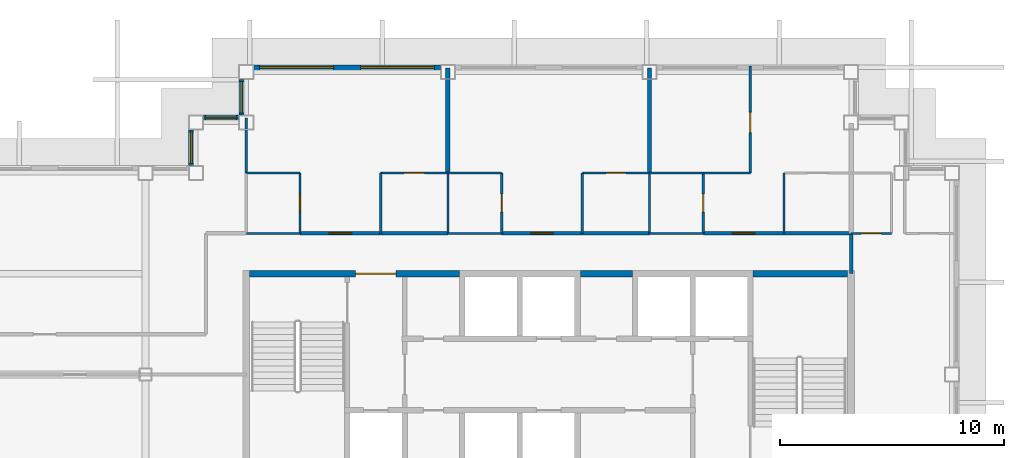
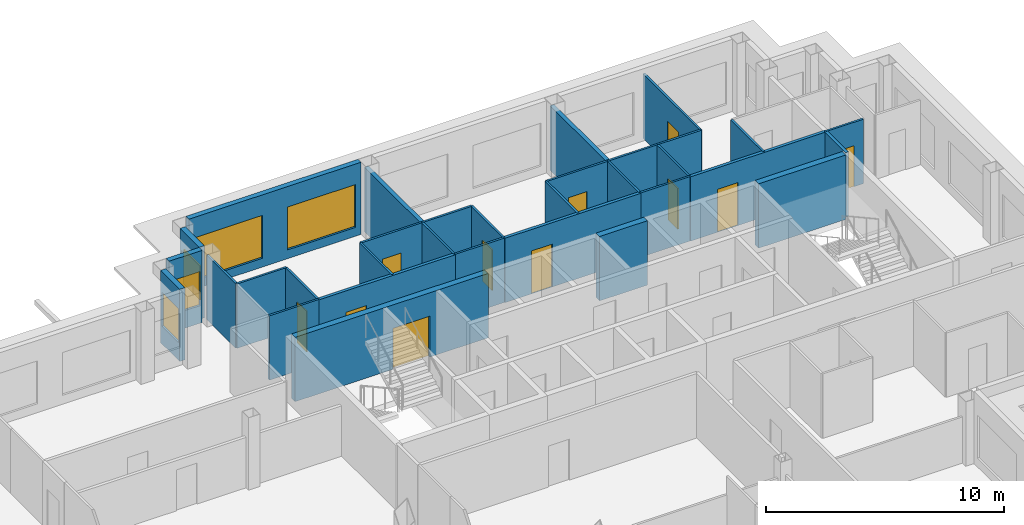
# One storey, part 6 of 11: 33 walls, 11 doors, 5 windows, 16 openings.
"""IFC4 building model written with IfcOpenShell, lengths in metres."""

from ifc_helpers import new_model, si_unit, direction, frame, frame_2d, origin, place, context, subcontext, project, spatial, rectangle, extrude, material, layer, layer_set, type_object, element, fill, save


model = new_model("IFC4")

# Units and contexts
model_context = context("Model", 3, precision=1e-05, world=origin(), true_north=direction((0.0, 1.0)))
body_context = subcontext(model_context, "Body", "Model", "MODEL_VIEW")
ifc_project = project(units=[si_unit("LENGTHUNIT", "METRE"), si_unit("AREAUNIT", "SQUARE_METRE"), si_unit("VOLUMEUNIT", "CUBIC_METRE"), si_unit("PLANEANGLEUNIT", "RADIAN"), si_unit("MASSUNIT", "GRAM", prefix="KILO")], contexts=[model_context])

# Site, building, storey
site_placement = place(None, origin())
site = spatial("IfcSite", under=ifc_project, at=site_placement, CompositionType="ELEMENT")
building_placement = place(site_placement, origin())
building = spatial("IfcBuilding", under=site, at=building_placement, Name="Caravel Reach Hotel and Residences", CompositionType="ELEMENT")
storey_placement = place(building_placement, frame((0.0, 0.0, 229.39990234375)))
storey = spatial("IfcBuildingStorey", under=building, at=storey_placement, Name="L58", CompositionType="ELEMENT", Elevation=229.39990234375)

# Walls
ifc_material_1 = material(Name="Gypsum board on steel stud", Category="steel")
ifc_layer_1 = layer(ifc_material_1, 0.10009765625)
ifc_layer_set_1 = layer_set([ifc_layer_1], Name="Bathroom pod wall 100 mm")
wall_type_1 = type_object("IfcWallType", Name="Bathroom pod wall 100 mm", PredefinedType="PARTITIONING", material=ifc_layer_set_1)
for number, where, z_axis, x_axis, name in (
    (1, (18.0, 33.300048828125, 0.0), (0.0, 0.0, 1.0), (1.0, 0.0, 0.0), "L58 wall w066"),
    (2, (27.0, 33.300048828125, 0.0), (0.0, 0.0, 1.0), (1.0, 0.0, 0.0), "L58 wall w067"),
    (3, (36.0, 33.300048828125, 0.0), (0.0, 0.0, 1.0), (1.0, 0.0, 0.0), "L58 wall w068"),
    (4, (18.0, 36.0, 0.0), (0.0, 0.0, 1.0), (1.0, 0.0, 0.0), "L58 wall w070"),
    (5, (27.0, 36.0, 0.0), (0.0, 0.0, 1.0), (1.0, 0.0, 0.0), "L58 wall w071"),
    (6, (36.0, 36.0, 0.0), (0.0, 0.0, 1.0), (1.0, 0.0, 0.0), "L58 wall w072"),
):
    element("IfcWall", number, at=place(storey_placement, frame(where, z_axis=z_axis, x_axis=x_axis)), inside=storey, type_object=wall_type_1, Name=name, PredefinedType="PARTITIONING", context=body_context, shape_type="SweptSolid", body=[
        extrude(rectangle(XDim=2.39990234375, YDim=0.10009765625, at=frame_2d((1.199951171875, 0.0))), origin(), (0.0, 0.0, 1.0), 3.300048828125),
    ])

# Wall, opening, door
wall_1_placement = place(storey_placement, frame((20.39990234375, 33.300048828125, 0.0), z_axis=(0.0, 0.0, 1.0), x_axis=(0.0, 1.0, 0.0)))
wall_1 = element("IfcWall", 7, at=wall_1_placement, inside=storey, type_object=wall_type_1, Name="L58 wall w074", PredefinedType="PARTITIONING", context=body_context, shape_type="SweptSolid", body=[
    extrude(rectangle(XDim=2.699951171875, YDim=0.10009765625, at=frame_2d((1.35009765625, 0.0))), origin(), (0.0, 0.0, 1.0), 3.300048828125),
])
opening_1_placement = place(wall_1_placement, frame((0.949951171875, 0.0, 0.0)))
opening_1 = element("IfcOpeningElement", 8, at=opening_1_placement, cuts=wall_1, Name="Opening D58-017", PredefinedType="OPENING", context=body_context, shape_type="SweptSolid", body=[
    extrude(rectangle(XDim=0.800048828125, YDim=2.10009765625, at=frame_2d((0.39990234375, 1.050048828125))), frame((0.0, 0.06005859375, 0.0), z_axis=(0.0, -1.0, 0.0), x_axis=(1.0, 0.0, 0.0)), (0.0, 0.0, 1.0), 0.1201171875),
])
ifc_material_2 = material(Name="Timber and steel door leaf", Category="steel")
door_type_1 = type_object("IfcDoorType", Name="Bathroom door 800 x 2100", OperationType="SINGLE_SWING_LEFT", PredefinedType="DOOR", material=ifc_material_2)
door_1_placement = place(opening_1_placement, origin())
door_1 = element("IfcDoor", 9, at=door_1_placement, inside=storey, type_object=door_type_1, Name="door D58-017", OperationType="SINGLE_SWING_RIGHT", OverallHeight=2.10009765625, OverallWidth=0.800048828125, PredefinedType="DOOR", context=body_context, shape_type="SweptSolid", body=[
    extrude(rectangle(XDim=0.800048828125, YDim=2.10009765625, at=frame_2d((0.39990234375, 1.050048828125))), frame((0.0, 0.02490234375, 0.0), z_axis=(0.0, -1.0, 0.0), x_axis=(1.0, 0.0, 0.0)), (0.0, 0.0, 1.0), 0.050048828125),
])
fill(opening_1, door_1)

# Wall
wall_2_placement = place(storey_placement, frame((27.0, 33.300048828125, 0.0), z_axis=(0.0, 0.0, 1.0), x_axis=(0.0, 1.0, 0.0)))
element("IfcWall", 10, at=wall_2_placement, inside=storey, type_object=wall_type_1, Name="L58 wall w075", PredefinedType="PARTITIONING", context=body_context, shape_type="SweptSolid", body=[
    extrude(rectangle(XDim=2.699951171875, YDim=0.10009765625, at=frame_2d((1.35009765625, 0.0))), origin(), (0.0, 0.0, 1.0), 3.300048828125),
])

# Wall, opening, door
wall_3_placement = place(storey_placement, frame((29.39990234375, 33.300048828125, 0.0), z_axis=(0.0, 0.0, 1.0), x_axis=(0.0, 1.0, 0.0)))
wall_3 = element("IfcWall", 11, at=wall_3_placement, inside=storey, type_object=wall_type_1, Name="L58 wall w077", PredefinedType="PARTITIONING", context=body_context, shape_type="SweptSolid", body=[
    extrude(rectangle(XDim=2.699951171875, YDim=0.10009765625, at=frame_2d((1.35009765625, 0.0))), origin(), (0.0, 0.0, 1.0), 3.300048828125),
])
opening_2_placement = place(wall_3_placement, frame((0.949951171875, 0.0, 0.0)))
opening_2 = element("IfcOpeningElement", 12, at=opening_2_placement, cuts=wall_3, Name="Opening D58-020", PredefinedType="OPENING", context=body_context, shape_type="SweptSolid", body=[
    extrude(rectangle(XDim=0.800048828125, YDim=2.10009765625, at=frame_2d((0.39990234375, 1.050048828125))), frame((0.0, 0.06005859375, 0.0), z_axis=(0.0, -1.0, 0.0), x_axis=(1.0, 0.0, 0.0)), (0.0, 0.0, 1.0), 0.1201171875),
])
door_2_placement = place(opening_2_placement, origin())
door_2 = element("IfcDoor", 13, at=door_2_placement, inside=storey, type_object=door_type_1, Name="door D58-020", OperationType="SINGLE_SWING_LEFT", OverallHeight=2.10009765625, OverallWidth=0.800048828125, PredefinedType="DOOR", context=body_context, shape_type="SweptSolid", body=[
    extrude(rectangle(XDim=0.800048828125, YDim=2.10009765625, at=frame_2d((0.39990234375, 1.050048828125))), frame((0.0, 0.02490234375, 0.0), z_axis=(0.0, -1.0, 0.0), x_axis=(1.0, 0.0, 0.0)), (0.0, 0.0, 1.0), 0.050048828125),
])
fill(opening_2, door_2)

# Wall
wall_4_placement = place(storey_placement, frame((36.0, 33.300048828125, 0.0), z_axis=(0.0, 0.0, 1.0), x_axis=(0.0, 1.0, 0.0)))
element("IfcWall", 14, at=wall_4_placement, inside=storey, type_object=wall_type_1, Name="L58 wall w079", PredefinedType="PARTITIONING", context=body_context, shape_type="SweptSolid", body=[
    extrude(rectangle(XDim=2.699951171875, YDim=0.10009765625, at=frame_2d((1.35009765625, 0.0))), origin(), (0.0, 0.0, 1.0), 3.300048828125),
])

# Wall, opening, door
wall_5_placement = place(storey_placement, frame((38.39990234375, 33.300048828125, 0.0), z_axis=(0.0, 0.0, 1.0), x_axis=(0.0, 1.0, 0.0)))
wall_5 = element("IfcWall", 15, at=wall_5_placement, inside=storey, type_object=wall_type_1, Name="L58 wall w081", PredefinedType="PARTITIONING", context=body_context, shape_type="SweptSolid", body=[
    extrude(rectangle(XDim=2.699951171875, YDim=0.10009765625, at=frame_2d((1.35009765625, 0.0))), origin(), (0.0, 0.0, 1.0), 3.300048828125),
])
opening_3_placement = place(wall_5_placement, frame((0.949951171875, 0.0, 0.0)))
opening_3 = element("IfcOpeningElement", 16, at=opening_3_placement, cuts=wall_5, Name="Opening D58-023", PredefinedType="OPENING", context=body_context, shape_type="SweptSolid", body=[
    extrude(rectangle(XDim=0.800048828125, YDim=2.10009765625, at=frame_2d((0.39990234375, 1.050048828125))), frame((0.0, 0.06005859375, 0.0), z_axis=(0.0, -1.0, 0.0), x_axis=(1.0, 0.0, 0.0)), (0.0, 0.0, 1.0), 0.1201171875),
])
door_3_placement = place(opening_3_placement, origin())
door_3 = element("IfcDoor", 17, at=door_3_placement, inside=storey, type_object=door_type_1, Name="door D58-023", OperationType="SINGLE_SWING_LEFT", OverallHeight=2.10009765625, OverallWidth=0.800048828125, PredefinedType="DOOR", context=body_context, shape_type="SweptSolid", body=[
    extrude(rectangle(XDim=0.800048828125, YDim=2.10009765625, at=frame_2d((0.39990234375, 1.050048828125))), frame((0.0, 0.02490234375, 0.0), z_axis=(0.0, -1.0, 0.0), x_axis=(1.0, 0.0, 0.0)), (0.0, 0.0, 1.0), 0.050048828125),
])
fill(opening_3, door_3)

ifc_material_3 = material(Name="Concrete C60", Category="concrete")
ifc_layer_2 = layer(ifc_material_3, 0.300048828125)
ifc_layer_set_2 = layer_set([ifc_layer_2], Name="Core wall 300 mm EI 120")
wall_type_2 = type_object("IfcWallType", Name="Core wall 300 mm EI 120", PredefinedType="SHEAR", material=ifc_layer_set_2)
wall_6_placement = place(storey_placement, frame((18.14990234375, 31.5, 0.0), z_axis=(0.0, 0.0, 1.0), x_axis=(1.0, 0.0, 0.0)))
wall_6 = element("IfcWall", 18, at=wall_6_placement, inside=storey, type_object=wall_type_2, Name="L58 core wall N1", PredefinedType="SHEAR", context=body_context, shape_type="SweptSolid", body=[
    extrude(rectangle(XDim=9.367919921875, YDim=0.300048828125, at=frame_2d((4.68408203125, 0.0))), origin(), (0.0, 0.0, 1.0), 3.300048828125),
])
opening_4_placement = place(wall_6_placement, frame((4.735595703125, 0.0, 0.0)))
opening_4 = element("IfcOpeningElement", 19, at=opening_4_placement, cuts=wall_6, Name="Opening D58-014", PredefinedType="OPENING", context=body_context, shape_type="SweptSolid", body=[
    extrude(rectangle(XDim=1.800048828125, YDim=2.10009765625, at=frame_2d((0.89990234375, 1.050048828125))), frame((0.0, 0.159912109375, 0.0), z_axis=(0.0, -1.0, 0.0), x_axis=(1.0, 0.0, 0.0)), (0.0, 0.0, 1.0), 0.320068359375),
])
ifc_material_4 = material(Name="Steel fire door leaf", Category="steel")
door_type_2 = type_object("IfcDoorType", Name="Fire lobby door pair 1800 x 2100 EI 90", OperationType="DOUBLE_DOOR_SINGLE_SWING", PredefinedType="DOOR", material=ifc_material_4)
door_4_placement = place(opening_4_placement, origin())
door_4 = element("IfcDoor", 20, at=door_4_placement, inside=storey, type_object=door_type_2, Name="lobby N door pair to corridor", OperationType="DOUBLE_DOOR_SINGLE_SWING", OverallHeight=2.10009765625, OverallWidth=1.800048828125, PredefinedType="DOOR", context=body_context, shape_type="SweptSolid", body=[
    extrude(rectangle(XDim=1.800048828125, YDim=2.10009765625, at=frame_2d((0.89990234375, 1.050048828125))), frame((0.0, 0.02490234375, 0.0), z_axis=(0.0, -1.0, 0.0), x_axis=(1.0, 0.0, 0.0)), (0.0, 0.0, 1.0), 0.050048828125),
])
fill(opening_4, door_4)

# Walls
wall_7_placement = place(storey_placement, frame((32.91064453125, 31.5, 0.0), z_axis=(0.0, 0.0, 1.0), x_axis=(1.0, 0.0, 0.0)))
element("IfcWall", 21, at=wall_7_placement, inside=storey, type_object=wall_type_2, Name="L58 core wall N2", PredefinedType="SHEAR", context=body_context, shape_type="SweptSolid", body=[
    extrude(rectangle(XDim=2.321533203125, YDim=0.300048828125, at=frame_2d((1.16064453125, 0.0))), origin(), (0.0, 0.0, 1.0), 3.300048828125),
])
wall_8_placement = place(storey_placement, frame((40.625, 31.5, 0.0), z_axis=(0.0, 0.0, 1.0), x_axis=(1.0, 0.0, 0.0)))
element("IfcWall", 22, at=wall_8_placement, inside=storey, type_object=wall_type_2, Name="L58 core wall N3", PredefinedType="SHEAR", context=body_context, shape_type="SweptSolid", body=[
    extrude(rectangle(XDim=4.22509765625, YDim=0.300048828125, at=frame_2d((2.112548828125, 0.0))), origin(), (0.0, 0.0, 1.0), 3.300048828125),
])

# Wall, opening, door
ifc_material_5 = material(Name="Gypsum board on steel stud, fire-rated", Category="steel")
ifc_layer_3 = layer(ifc_material_5, 0.14990234375)
ifc_layer_set_3 = layer_set([ifc_layer_3], Name="Corridor wall 150 mm EI 60")
wall_type_3 = type_object("IfcWallType", Name="Corridor wall 150 mm EI 60", PredefinedType="PARTITIONING", material=ifc_layer_set_3)
wall_9_placement = place(storey_placement, frame((20.39990234375, 33.300048828125, 0.0), z_axis=(0.0, 0.0, 1.0), x_axis=(1.0, 0.0, 0.0)))
wall_9 = element("IfcWall", 23, at=wall_9_placement, inside=storey, type_object=wall_type_3, Name="L58 wall w010", PredefinedType="PARTITIONING", context=body_context, shape_type="SweptSolid", body=[
    extrude(rectangle(XDim=6.60009765625, YDim=0.14990234375, at=frame_2d((3.300048828125, 0.0))), origin(), (0.0, 0.0, 1.0), 3.300048828125),
])
opening_5_placement = place(wall_9_placement, frame((1.300048828125, 0.0, 0.0)))
opening_5 = element("IfcOpeningElement", 24, at=opening_5_placement, cuts=wall_9, Name="Opening D58-016", PredefinedType="OPENING", context=body_context, shape_type="SweptSolid", body=[
    extrude(rectangle(XDim=1.0, YDim=2.199951171875, at=frame_2d((0.5, 1.10009765625))), frame((0.0, 0.0849609375, 0.0), z_axis=(0.0, -1.0, 0.0), x_axis=(1.0, 0.0, 0.0)), (0.0, 0.0, 1.0), 0.169921875),
])
ifc_material_6 = material(Name="Steel fire door leaf", Category="steel")
door_type_3 = type_object("IfcDoorType", Name="Flat entrance door 1000 x 2200 EI 60", OperationType="SINGLE_SWING_LEFT", PredefinedType="DOOR", material=ifc_material_6)
door_5_placement = place(opening_5_placement, origin())
door_5 = element("IfcDoor", 25, at=door_5_placement, inside=storey, type_object=door_type_3, Name="door D58-016", OperationType="SINGLE_SWING_RIGHT", OverallHeight=2.199951171875, OverallWidth=1.0, PredefinedType="DOOR", context=body_context, shape_type="SweptSolid", body=[
    extrude(rectangle(XDim=1.0, YDim=2.199951171875, at=frame_2d((0.5, 1.10009765625))), frame((0.0, 0.02490234375, 0.0), z_axis=(0.0, -1.0, 0.0), x_axis=(1.0, 0.0, 0.0)), (0.0, 0.0, 1.0), 0.050048828125),
])
fill(opening_5, door_5)

wall_10_placement = place(storey_placement, frame((29.39990234375, 33.300048828125, 0.0), z_axis=(0.0, 0.0, 1.0), x_axis=(1.0, 0.0, 0.0)))
wall_10 = element("IfcWall", 26, at=wall_10_placement, inside=storey, type_object=wall_type_3, Name="L58 wall w012", PredefinedType="PARTITIONING", context=body_context, shape_type="SweptSolid", body=[
    extrude(rectangle(XDim=6.60009765625, YDim=0.14990234375, at=frame_2d((3.300048828125, 0.0))), origin(), (0.0, 0.0, 1.0), 3.300048828125),
])
opening_6_placement = place(wall_10_placement, frame((1.300048828125, 0.0, 0.0)))
opening_6 = element("IfcOpeningElement", 27, at=opening_6_placement, cuts=wall_10, Name="Opening D58-019", PredefinedType="OPENING", context=body_context, shape_type="SweptSolid", body=[
    extrude(rectangle(XDim=1.0, YDim=2.199951171875, at=frame_2d((0.5, 1.10009765625))), frame((0.0, 0.0849609375, 0.0), z_axis=(0.0, -1.0, 0.0), x_axis=(1.0, 0.0, 0.0)), (0.0, 0.0, 1.0), 0.169921875),
])
door_6_placement = place(opening_6_placement, origin())
door_6 = element("IfcDoor", 28, at=door_6_placement, inside=storey, type_object=door_type_3, Name="door D58-019", OperationType="SINGLE_SWING_RIGHT", OverallHeight=2.199951171875, OverallWidth=1.0, PredefinedType="DOOR", context=body_context, shape_type="SweptSolid", body=[
    extrude(rectangle(XDim=1.0, YDim=2.199951171875, at=frame_2d((0.5, 1.10009765625))), frame((0.0, 0.02490234375, 0.0), z_axis=(0.0, -1.0, 0.0), x_axis=(1.0, 0.0, 0.0)), (0.0, 0.0, 1.0), 0.050048828125),
])
fill(opening_6, door_6)

wall_11_placement = place(storey_placement, frame((38.39990234375, 33.300048828125, 0.0), z_axis=(0.0, 0.0, 1.0), x_axis=(1.0, 0.0, 0.0)))
wall_11 = element("IfcWall", 29, at=wall_11_placement, inside=storey, type_object=wall_type_3, Name="L58 wall w014", PredefinedType="PARTITIONING", context=body_context, shape_type="SweptSolid", body=[
    extrude(rectangle(XDim=6.60009765625, YDim=0.14990234375, at=frame_2d((3.300048828125, 0.0))), origin(), (0.0, 0.0, 1.0), 3.300048828125),
])
opening_7_placement = place(wall_11_placement, frame((1.300048828125, 0.0, 0.0)))
opening_7 = element("IfcOpeningElement", 30, at=opening_7_placement, cuts=wall_11, Name="Opening D58-022", PredefinedType="OPENING", context=body_context, shape_type="SweptSolid", body=[
    extrude(rectangle(XDim=1.0, YDim=2.199951171875, at=frame_2d((0.5, 1.10009765625))), frame((0.0, 0.0849609375, 0.0), z_axis=(0.0, -1.0, 0.0), x_axis=(1.0, 0.0, 0.0)), (0.0, 0.0, 1.0), 0.169921875),
])
door_7_placement = place(opening_7_placement, origin())
door_7 = element("IfcDoor", 31, at=door_7_placement, inside=storey, type_object=door_type_3, Name="door D58-022", OperationType="SINGLE_SWING_RIGHT", OverallHeight=2.199951171875, OverallWidth=1.0, PredefinedType="DOOR", context=body_context, shape_type="SweptSolid", body=[
    extrude(rectangle(XDim=1.0, YDim=2.199951171875, at=frame_2d((0.5, 1.10009765625))), frame((0.0, 0.02490234375, 0.0), z_axis=(0.0, -1.0, 0.0), x_axis=(1.0, 0.0, 0.0)), (0.0, 0.0, 1.0), 0.050048828125),
])
fill(opening_7, door_7)

# Wall
wall_12_placement = place(storey_placement, frame((45.0, 31.5, 0.0), z_axis=(0.0, 0.0, 1.0), x_axis=(0.0, 1.0, 0.0)))
element("IfcWall", 32, at=wall_12_placement, inside=storey, type_object=wall_type_3, Name="L58 wall w026", PredefinedType="PARTITIONING", context=body_context, shape_type="SweptSolid", body=[
    extrude(rectangle(XDim=1.800048828125, YDim=0.14990234375, at=frame_2d((0.89990234375, 0.0))), origin(), (0.0, 0.0, 1.0), 3.300048828125),
])

# Wall, openings, windows
ifc_material_7 = material(Name="Insulated rainscreen wall, aluminium cladding", Category="aluminium")
ifc_layer_4 = layer(ifc_material_7, 0.25)
ifc_layer_set_4 = layer_set([ifc_layer_4], Name="EW1 Tower rainscreen wall")
wall_type_4 = type_object("IfcWallType", Name="EW1 Tower rainscreen wall", PredefinedType="SOLIDWALL", material=ifc_layer_set_4)
wall_13_placement = place(storey_placement, frame((26.675048828125, 40.699951171875, 0.0), z_axis=(0.0, 0.0, 1.0), x_axis=(-1.0, 0.0, 0.0)))
wall_13 = element("IfcWall", 33, at=wall_13_placement, inside=storey, type_object=wall_type_4, Name="External wall L58 N11.3", PredefinedType="SOLIDWALL", context=body_context, shape_type="SweptSolid", body=[
    extrude(rectangle(XDim=8.35009765625, YDim=0.25, at=frame_2d((4.175048828125, 0.0))), origin(), (0.0, 0.0, 1.0), 3.7001953125),
])
opening_8_placement = place(wall_13_placement, frame((0.27490234375, 0.0, 0.449951171875)))
opening_8 = element("IfcOpeningElement", 34, at=opening_8_placement, cuts=wall_13, Name="Opening WN19", PredefinedType="OPENING", context=body_context, shape_type="SweptSolid", body=[
    extrude(rectangle(XDim=3.300048828125, YDim=2.199951171875, at=frame_2d((1.64990234375, 1.10009765625))), frame((0.0, 0.135009765625, 0.0), z_axis=(0.0, -1.0, 0.0), x_axis=(1.0, 0.0, 0.0)), (0.0, 0.0, 1.0), 0.27001953125),
])
opening_9_placement = place(wall_13_placement, frame((4.77490234375, 0.0, 0.449951171875)))
opening_9 = element("IfcOpeningElement", 35, at=opening_9_placement, cuts=wall_13, Name="Opening WN19", PredefinedType="OPENING", context=body_context, shape_type="SweptSolid", body=[
    extrude(rectangle(XDim=3.300048828125, YDim=2.199951171875, at=frame_2d((1.64990234375, 1.10009765625))), frame((0.0, 0.135009765625, 0.0), z_axis=(0.0, -1.0, 0.0), x_axis=(1.0, 0.0, 0.0)), (0.0, 0.0, 1.0), 0.27001953125),
])
ifc_material_8 = material(Name="Dark low-e glazing in black aluminium frame", Category="aluminium")
window_type_1 = type_object("IfcWindowType", Name="Residence living window 3300 x 2200", PartitioningType="SINGLE_PANEL", PredefinedType="WINDOW", material=ifc_material_8)
window_1_placement = place(opening_8_placement, origin())
window_1 = element("IfcWindow", 36, at=window_1_placement, inside=storey, type_object=window_type_1, Name="Window L58 N11.3.1", OverallHeight=2.199951171875, OverallWidth=3.300048828125, PartitioningType="SINGLE_PANEL", PredefinedType="WINDOW", context=body_context, shape_type="SweptSolid", body=[
    extrude(rectangle(XDim=3.300048828125, YDim=2.199951171875, at=frame_2d((1.64990234375, 1.10009765625))), frame((0.0, 0.030029296875, 0.0), z_axis=(0.0, -1.0, 0.0), x_axis=(1.0, 0.0, 0.0)), (0.0, 0.0, 1.0), 0.06005859375),
])
fill(opening_8, window_1)
window_2_placement = place(opening_9_placement, origin())
window_2 = element("IfcWindow", 37, at=window_2_placement, inside=storey, type_object=window_type_1, Name="Window L58 N11.3.2", OverallHeight=2.199951171875, OverallWidth=3.300048828125, PartitioningType="SINGLE_PANEL", PredefinedType="WINDOW", context=body_context, shape_type="SweptSolid", body=[
    extrude(rectangle(XDim=3.300048828125, YDim=2.199951171875, at=frame_2d((1.64990234375, 1.10009765625))), frame((0.0, 0.030029296875, 0.0), z_axis=(0.0, -1.0, 0.0), x_axis=(1.0, 0.0, 0.0)), (0.0, 0.0, 1.0), 0.06005859375),
])
fill(opening_9, window_2)

# Wall, opening, window
wall_14_placement = place(storey_placement, frame((17.800048828125, 40.175048828125, 0.0), z_axis=(0.0, 0.0, 1.0), x_axis=(0.0, -1.0, 0.0)))
wall_14 = element("IfcWall", 38, at=wall_14_placement, inside=storey, type_object=wall_type_4, Name="External wall L58 W12.1", PredefinedType="SOLIDWALL", context=body_context, shape_type="SweptSolid", body=[
    extrude(rectangle(XDim=1.60009765625, YDim=0.25, at=frame_2d((0.800048828125, 0.0))), origin(), (0.0, 0.0, 1.0), 3.7001953125),
])
opening_10_placement = place(wall_14_placement, frame((0.10009765625, 0.0, 0.89990234375)))
opening_10 = element("IfcOpeningElement", 39, at=opening_10_placement, cuts=wall_14, Name="Opening WN24", PredefinedType="OPENING", context=body_context, shape_type="SweptSolid", body=[
    extrude(rectangle(XDim=1.39990234375, YDim=1.75, at=frame_2d((0.699951171875, 0.875))), frame((0.0, 0.135009765625, 0.0), z_axis=(0.0, -1.0, 0.0), x_axis=(1.0, 0.0, 0.0)), (0.0, 0.0, 1.0), 0.27001953125),
])
ifc_material_9 = material(Name="Dark low-e glazing in black aluminium frame", Category="aluminium")
window_type_2 = type_object("IfcWindowType", Name="Residence bedroom window 1400 x 1750", PartitioningType="SINGLE_PANEL", PredefinedType="WINDOW", material=ifc_material_9)
window_3_placement = place(opening_10_placement, origin())
window_3 = element("IfcWindow", 40, at=window_3_placement, inside=storey, type_object=window_type_2, Name="Window L58 W12.1.1", OverallHeight=1.75, OverallWidth=1.39990234375, PartitioningType="SINGLE_PANEL", PredefinedType="WINDOW", context=body_context, shape_type="SweptSolid", body=[
    extrude(rectangle(XDim=1.39990234375, YDim=1.75, at=frame_2d((0.699951171875, 0.875))), frame((0.0, 0.030029296875, 0.0), z_axis=(0.0, -1.0, 0.0), x_axis=(1.0, 0.0, 0.0)), (0.0, 0.0, 1.0), 0.06005859375),
])
fill(opening_10, window_3)

wall_15_placement = place(storey_placement, frame((17.675048828125, 38.449951171875, 0.0), z_axis=(0.0, 0.0, 1.0), x_axis=(-1.0, 0.0, 0.0)))
wall_15 = element("IfcWall", 41, at=wall_15_placement, inside=storey, type_object=wall_type_4, Name="External wall L58 N13.1", PredefinedType="SOLIDWALL", context=body_context, shape_type="SweptSolid", body=[
    extrude(rectangle(XDim=1.60009765625, YDim=0.25, at=frame_2d((0.800048828125, 0.0))), origin(), (0.0, 0.0, 1.0), 3.7001953125),
])
opening_11_placement = place(wall_15_placement, frame((0.10009765625, 0.0, 0.89990234375)))
opening_11 = element("IfcOpeningElement", 42, at=opening_11_placement, cuts=wall_15, Name="Opening WN24", PredefinedType="OPENING", context=body_context, shape_type="SweptSolid", body=[
    extrude(rectangle(XDim=1.39990234375, YDim=1.75, at=frame_2d((0.699951171875, 0.875))), frame((0.0, 0.135009765625, 0.0), z_axis=(0.0, -1.0, 0.0), x_axis=(1.0, 0.0, 0.0)), (0.0, 0.0, 1.0), 0.27001953125),
])
window_4_placement = place(opening_11_placement, origin())
window_4 = element("IfcWindow", 43, at=window_4_placement, inside=storey, type_object=window_type_2, Name="Window L58 N13.1.1", OverallHeight=1.75, OverallWidth=1.39990234375, PartitioningType="SINGLE_PANEL", PredefinedType="WINDOW", context=body_context, shape_type="SweptSolid", body=[
    extrude(rectangle(XDim=1.39990234375, YDim=1.75, at=frame_2d((0.699951171875, 0.875))), frame((0.0, 0.030029296875, 0.0), z_axis=(0.0, -1.0, 0.0), x_axis=(1.0, 0.0, 0.0)), (0.0, 0.0, 1.0), 0.06005859375),
])
fill(opening_11, window_4)

wall_16_placement = place(storey_placement, frame((15.550048828125, 37.925048828125, 0.0), z_axis=(0.0, 0.0, 1.0), x_axis=(0.0, -1.0, 0.0)))
wall_16 = element("IfcWall", 44, at=wall_16_placement, inside=storey, type_object=wall_type_4, Name="External wall L58 W14.1", PredefinedType="SOLIDWALL", context=body_context, shape_type="SweptSolid", body=[
    extrude(rectangle(XDim=1.60009765625, YDim=0.25, at=frame_2d((0.800048828125, 0.0))), origin(), (0.0, 0.0, 1.0), 3.7001953125),
])
opening_12_placement = place(wall_16_placement, frame((0.10009765625, 0.0, 0.89990234375)))
opening_12 = element("IfcOpeningElement", 45, at=opening_12_placement, cuts=wall_16, Name="Opening WN24", PredefinedType="OPENING", context=body_context, shape_type="SweptSolid", body=[
    extrude(rectangle(XDim=1.39990234375, YDim=1.75, at=frame_2d((0.699951171875, 0.875))), frame((0.0, 0.135009765625, 0.0), z_axis=(0.0, -1.0, 0.0), x_axis=(1.0, 0.0, 0.0)), (0.0, 0.0, 1.0), 0.27001953125),
])
window_5_placement = place(opening_12_placement, origin())
window_5 = element("IfcWindow", 46, at=window_5_placement, inside=storey, type_object=window_type_2, Name="Window L58 W14.1.1", OverallHeight=1.75, OverallWidth=1.39990234375, PartitioningType="SINGLE_PANEL", PredefinedType="WINDOW", context=body_context, shape_type="SweptSolid", body=[
    extrude(rectangle(XDim=1.39990234375, YDim=1.75, at=frame_2d((0.699951171875, 0.875))), frame((0.0, 0.030029296875, 0.0), z_axis=(0.0, -1.0, 0.0), x_axis=(1.0, 0.0, 0.0)), (0.0, 0.0, 1.0), 0.06005859375),
])
fill(opening_12, window_5)

# Wall, opening, door
ifc_material_10 = material(Name="Gypsum board on steel stud", Category="steel")
ifc_layer_5 = layer(ifc_material_10, 0.10009765625)
ifc_layer_set_5 = layer_set([ifc_layer_5], Name="Partition 100 mm")
wall_type_5 = type_object("IfcWallType", Name="Partition 100 mm", PredefinedType="PARTITIONING", material=ifc_layer_set_5)
wall_17_placement = place(storey_placement, frame((45.0, 33.300048828125, 0.0), z_axis=(0.0, 0.0, 1.0), x_axis=(1.0, 0.0, 0.0)))
wall_17 = element("IfcWall", 47, at=wall_17_placement, inside=storey, type_object=wall_type_5, Name="L58 wall w032", PredefinedType="PARTITIONING", context=body_context, shape_type="SweptSolid", body=[
    extrude(rectangle(XDim=1.800048828125, YDim=0.10009765625, at=frame_2d((0.89990234375, 0.0))), origin(), (0.0, 0.0, 1.0), 3.300048828125),
])
opening_13_placement = place(wall_17_placement, frame((0.449951171875, 0.0, 0.0)))
opening_13 = element("IfcOpeningElement", 48, at=opening_13_placement, cuts=wall_17, Name="Opening D58-040", PredefinedType="OPENING", context=body_context, shape_type="SweptSolid", body=[
    extrude(rectangle(XDim=0.89990234375, YDim=2.10009765625, at=frame_2d((0.449951171875, 1.050048828125))), frame((0.0, 0.06005859375, 0.0), z_axis=(0.0, -1.0, 0.0), x_axis=(1.0, 0.0, 0.0)), (0.0, 0.0, 1.0), 0.1201171875),
])
ifc_material_11 = material(Name="Timber and steel door leaf", Category="steel")
door_type_4 = type_object("IfcDoorType", Name="Door 900 x 2100 timber", OperationType="SINGLE_SWING_LEFT", PredefinedType="DOOR", material=ifc_material_11)
door_8_placement = place(opening_13_placement, origin())
door_8 = element("IfcDoor", 49, at=door_8_placement, inside=storey, type_object=door_type_4, Name="door D58-040", OperationType="SINGLE_SWING_RIGHT", OverallHeight=2.10009765625, OverallWidth=0.89990234375, PredefinedType="DOOR", context=body_context, shape_type="SweptSolid", body=[
    extrude(rectangle(XDim=0.89990234375, YDim=2.10009765625, at=frame_2d((0.449951171875, 1.050048828125))), frame((0.0, 0.02490234375, 0.0), z_axis=(0.0, -1.0, 0.0), x_axis=(1.0, 0.0, 0.0)), (0.0, 0.0, 1.0), 0.050048828125),
])
fill(opening_13, door_8)

wall_18_placement = place(storey_placement, frame((24.0, 36.0, 0.0), z_axis=(0.0, 0.0, 1.0), x_axis=(1.0, 0.0, 0.0)))
wall_18 = element("IfcWall", 50, at=wall_18_placement, inside=storey, type_object=wall_type_5, Name="L58 wall w033", PredefinedType="PARTITIONING", context=body_context, shape_type="SweptSolid", body=[
    extrude(rectangle(XDim=3.0, YDim=0.10009765625, at=frame_2d((1.5, 0.0))), origin(), (0.0, 0.0, 1.0), 3.300048828125),
])
opening_14_placement = place(wall_18_placement, frame((1.050048828125, 0.0, 0.0)))
opening_14 = element("IfcOpeningElement", 51, at=opening_14_placement, cuts=wall_18, Name="Opening D58-018", PredefinedType="OPENING", context=body_context, shape_type="SweptSolid", body=[
    extrude(rectangle(XDim=0.89990234375, YDim=2.10009765625, at=frame_2d((0.449951171875, 1.050048828125))), frame((0.0, 0.06005859375, 0.0), z_axis=(0.0, -1.0, 0.0), x_axis=(1.0, 0.0, 0.0)), (0.0, 0.0, 1.0), 0.1201171875),
])
door_9_placement = place(opening_14_placement, origin())
door_9 = element("IfcDoor", 52, at=door_9_placement, inside=storey, type_object=door_type_4, Name="door D58-018", OperationType="SINGLE_SWING_LEFT", OverallHeight=2.10009765625, OverallWidth=0.89990234375, PredefinedType="DOOR", context=body_context, shape_type="SweptSolid", body=[
    extrude(rectangle(XDim=0.89990234375, YDim=2.10009765625, at=frame_2d((0.449951171875, 1.050048828125))), frame((0.0, 0.02490234375, 0.0), z_axis=(0.0, -1.0, 0.0), x_axis=(1.0, 0.0, 0.0)), (0.0, 0.0, 1.0), 0.050048828125),
])
fill(opening_14, door_9)

wall_19_placement = place(storey_placement, frame((33.0, 36.0, 0.0), z_axis=(0.0, 0.0, 1.0), x_axis=(1.0, 0.0, 0.0)))
wall_19 = element("IfcWall", 53, at=wall_19_placement, inside=storey, type_object=wall_type_5, Name="L58 wall w034", PredefinedType="PARTITIONING", context=body_context, shape_type="SweptSolid", body=[
    extrude(rectangle(XDim=3.0, YDim=0.10009765625, at=frame_2d((1.5, 0.0))), origin(), (0.0, 0.0, 1.0), 3.300048828125),
])
opening_15_placement = place(wall_19_placement, frame((1.050048828125, 0.0, 0.0)))
opening_15 = element("IfcOpeningElement", 54, at=opening_15_placement, cuts=wall_19, Name="Opening D58-021", PredefinedType="OPENING", context=body_context, shape_type="SweptSolid", body=[
    extrude(rectangle(XDim=0.89990234375, YDim=2.10009765625, at=frame_2d((0.449951171875, 1.050048828125))), frame((0.0, 0.06005859375, 0.0), z_axis=(0.0, -1.0, 0.0), x_axis=(1.0, 0.0, 0.0)), (0.0, 0.0, 1.0), 0.1201171875),
])
door_10_placement = place(opening_15_placement, origin())
door_10 = element("IfcDoor", 55, at=door_10_placement, inside=storey, type_object=door_type_4, Name="door D58-021", OperationType="SINGLE_SWING_RIGHT", OverallHeight=2.10009765625, OverallWidth=0.89990234375, PredefinedType="DOOR", context=body_context, shape_type="SweptSolid", body=[
    extrude(rectangle(XDim=0.89990234375, YDim=2.10009765625, at=frame_2d((0.449951171875, 1.050048828125))), frame((0.0, 0.02490234375, 0.0), z_axis=(0.0, -1.0, 0.0), x_axis=(1.0, 0.0, 0.0)), (0.0, 0.0, 1.0), 0.050048828125),
])
fill(opening_15, door_10)

# Walls
wall_20_placement = place(storey_placement, frame((38.39990234375, 36.0, 0.0), z_axis=(0.0, 0.0, 1.0), x_axis=(1.0, 0.0, 0.0)))
element("IfcWall", 56, at=wall_20_placement, inside=storey, type_object=wall_type_5, Name="L58 wall w035", PredefinedType="PARTITIONING", context=body_context, shape_type="SweptSolid", body=[
    extrude(rectangle(XDim=2.10009765625, YDim=0.10009765625, at=frame_2d((1.050048828125, 0.0))), origin(), (0.0, 0.0, 1.0), 3.300048828125),
])
wall_21_placement = place(storey_placement, frame((18.0, 36.0, 0.0), z_axis=(0.0, 0.0, 1.0), x_axis=(0.0, 1.0, 0.0)))
element("IfcWall", 57, at=wall_21_placement, inside=storey, type_object=wall_type_5, Name="L58 wall w043", PredefinedType="PARTITIONING", context=body_context, shape_type="SweptSolid", body=[
    extrude(rectangle(XDim=2.43994140625, YDim=0.10009765625, at=frame_2d((1.219970703125, 0.0))), origin(), (0.0, 0.0, 1.0), 3.300048828125),
])
for number, where, z_axis, x_axis, name in (
    (58, (24.0, 33.300048828125, 0.0), (0.0, 0.0, 1.0), (0.0, 1.0, 0.0), "L58 wall w046"),
    (59, (33.0, 33.300048828125, 0.0), (0.0, 0.0, 1.0), (0.0, 1.0, 0.0), "L58 wall w049"),
):
    element("IfcWall", number, at=place(storey_placement, frame(where, z_axis=z_axis, x_axis=x_axis)), inside=storey, type_object=wall_type_5, Name=name, PredefinedType="PARTITIONING", context=body_context, shape_type="SweptSolid", body=[
        extrude(rectangle(XDim=2.699951171875, YDim=0.10009765625, at=frame_2d((1.35009765625, 0.0))), origin(), (0.0, 0.0, 1.0), 3.300048828125),
    ])

# Wall, opening, door
wall_22_placement = place(storey_placement, frame((40.5, 36.0, 0.0), z_axis=(0.0, 0.0, 1.0), x_axis=(0.0, 1.0, 0.0)))
wall_22 = element("IfcWall", 60, at=wall_22_placement, inside=storey, type_object=wall_type_5, Name="L58 wall w053", PredefinedType="PARTITIONING", context=body_context, shape_type="SweptSolid", body=[
    extrude(rectangle(XDim=4.764892578125, YDim=0.10009765625, at=frame_2d((2.38232421875, 0.0))), origin(), (0.0, 0.0, 1.0), 3.300048828125),
])
opening_16_placement = place(wall_22_placement, frame((1.800048828125, 0.0, 0.0)))
opening_16 = element("IfcOpeningElement", 61, at=opening_16_placement, cuts=wall_22, Name="Opening D58-025", PredefinedType="OPENING", context=body_context, shape_type="SweptSolid", body=[
    extrude(rectangle(XDim=0.89990234375, YDim=2.10009765625, at=frame_2d((0.449951171875, 1.050048828125))), frame((0.0, 0.06005859375, 0.0), z_axis=(0.0, -1.0, 0.0), x_axis=(1.0, 0.0, 0.0)), (0.0, 0.0, 1.0), 0.1201171875),
])
door_11_placement = place(opening_16_placement, origin())
door_11 = element("IfcDoor", 62, at=door_11_placement, inside=storey, type_object=door_type_4, Name="door D58-025", OperationType="SINGLE_SWING_RIGHT", OverallHeight=2.10009765625, OverallWidth=0.89990234375, PredefinedType="DOOR", context=body_context, shape_type="SweptSolid", body=[
    extrude(rectangle(XDim=0.89990234375, YDim=2.10009765625, at=frame_2d((0.449951171875, 1.050048828125))), frame((0.0, 0.02490234375, 0.0), z_axis=(0.0, -1.0, 0.0), x_axis=(1.0, 0.0, 0.0)), (0.0, 0.0, 1.0), 0.050048828125),
])
fill(opening_16, door_11)

# Walls
wall_23_placement = place(storey_placement, frame((42.0, 33.300048828125, 0.0), z_axis=(0.0, 0.0, 1.0), x_axis=(0.0, 1.0, 0.0)))
element("IfcWall", 63, at=wall_23_placement, inside=storey, type_object=wall_type_5, Name="L58 wall w054", PredefinedType="PARTITIONING", context=body_context, shape_type="SweptSolid", body=[
    extrude(rectangle(XDim=2.699951171875, YDim=0.10009765625, at=frame_2d((1.35009765625, 0.0))), origin(), (0.0, 0.0, 1.0), 3.300048828125),
])
ifc_material_12 = material(Name="Autoclaved aerated block wall")
ifc_layer_6 = layer(ifc_material_12, 0.199951171875)
ifc_layer_set_6 = layer_set([ifc_layer_6], Name="Party wall 200 mm EI 60")
wall_type_6 = type_object("IfcWallType", Name="Party wall 200 mm EI 60", PredefinedType="PARTITIONING", material=ifc_layer_set_6)
for number, where, z_axis, x_axis, name in (
    (64, (27.0, 36.0, 0.0), (0.0, 0.0, 1.0), (0.0, 1.0, 0.0), "L58 wall w058"),
    (65, (36.0, 36.0, 0.0), (0.0, 0.0, 1.0), (0.0, 1.0, 0.0), "L58 wall w059"),
):
    element("IfcWall", number, at=place(storey_placement, frame(where, z_axis=z_axis, x_axis=x_axis)), inside=storey, type_object=wall_type_6, Name=name, PredefinedType="PARTITIONING", context=body_context, shape_type="SweptSolid", body=[
        extrude(rectangle(XDim=4.68994140625, YDim=0.199951171875, at=frame_2d((2.344970703125, 0.0))), origin(), (0.0, 0.0, 1.0), 3.300048828125),
    ])

save(model, "model.ifc")
